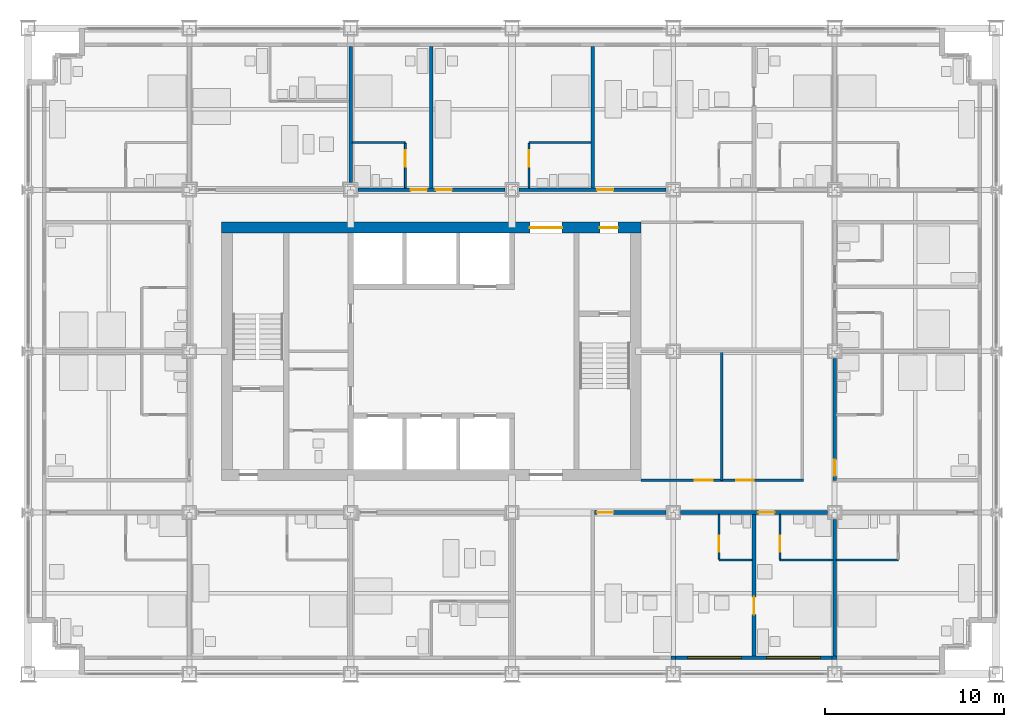
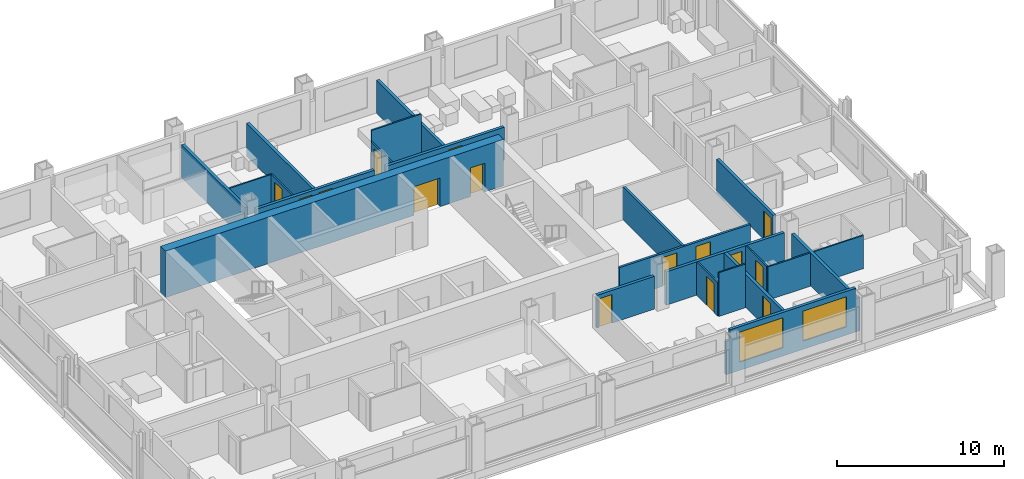
# One storey, part 12 of 18: 25 walls, 15 doors, 2 windows, 17 openings.
"""IFC4 building model written with IfcOpenShell, lengths in metres."""

from ifc_helpers import new_model, si_unit, direction, frame, frame_2d, origin, place, context, subcontext, project, spatial, rectangle, extrude, material, layer, layer_set, type_object, element, fill, save


model = new_model("IFC4")

# Units and contexts
model_context = context("Model", 3, precision=1e-05, world=origin(), true_north=direction((0.0, 1.0)))
body_context = subcontext(model_context, "Body", "Model", "MODEL_VIEW")
ifc_project = project(units=[si_unit("LENGTHUNIT", "METRE"), si_unit("AREAUNIT", "SQUARE_METRE"), si_unit("VOLUMEUNIT", "CUBIC_METRE"), si_unit("PLANEANGLEUNIT", "RADIAN"), si_unit("MASSUNIT", "GRAM", prefix="KILO")], contexts=[model_context])

# Site, building, storey
site_placement = place(None, origin())
site = spatial("IfcSite", under=ifc_project, at=site_placement, CompositionType="ELEMENT")
building_placement = place(site_placement, origin())
building = spatial("IfcBuilding", under=site, at=building_placement, Name="Loomwork Tower", CompositionType="ELEMENT")
storey_placement = place(building_placement, frame((0.0, 0.0, 72.199951171875)))
storey = spatial("IfcBuildingStorey", under=building, at=storey_placement, Name="L18", CompositionType="ELEMENT", Elevation=72.199951171875)

# Wall, openings, doors
ifc_material_1 = material(Name="Concrete 14000 psi (97 MPa)", Category="concrete")
ifc_layer_1 = layer(ifc_material_1, 0.60009765625)
ifc_layer_set_1 = layer_set([ifc_layer_1], Name="Core shear wall 600")
wall_type_1 = type_object("IfcWallType", Name="Core shear wall 600", PredefinedType="SHEAR", material=ifc_layer_set_1)
wall_1_placement = place(storey_placement, frame((10.800048828125, 24.89990234375, 0.0), z_axis=(0.0, 0.0, 1.0), x_axis=(1.0, 0.0, 0.0)))
wall_1 = element("IfcWall", 1, at=wall_1_placement, inside=storey, type_object=wall_type_1, Name="Core wall north L18", PredefinedType="SHEAR", context=body_context, shape_type="SweptSolid", body=[
    extrude(rectangle(XDim=23.39990234375, YDim=0.60009765625, at=frame_2d((11.699951171875, 0.0))), origin(), (0.0, 0.0, 1.0), 3.400146484375),
])
opening_1_placement = place(wall_1_placement, frame((17.199951171875, 0.0, 0.0)))
opening_1 = element("IfcOpeningElement", 2, at=opening_1_placement, cuts=wall_1, Name="Opening D6", PredefinedType="OPENING", context=body_context, shape_type="SweptSolid", body=[
    extrude(rectangle(XDim=1.800048828125, YDim=2.10009765625, at=frame_2d((0.89990234375, 1.050048828125))), frame((0.0, 0.31005859375, 0.0), z_axis=(0.0, -1.0, 0.0), x_axis=(1.0, 0.0, 0.0)), (0.0, 0.0, 1.0), 0.6201171875),
])
opening_2_placement = place(wall_1_placement, frame((21.10009765625, 0.0, 0.0)))
opening_2 = element("IfcOpeningElement", 3, at=opening_2_placement, cuts=wall_1, Name="Opening D4", PredefinedType="OPENING", context=body_context, shape_type="SweptSolid", body=[
    extrude(rectangle(XDim=1.0, YDim=2.10009765625, at=frame_2d((0.5, 1.050048828125))), frame((0.0, 0.31005859375, 0.0), z_axis=(0.0, -1.0, 0.0), x_axis=(1.0, 0.0, 0.0)), (0.0, 0.0, 1.0), 0.6201171875),
])
ifc_material_2 = material(Name="Hollow metal door and frame")
door_type_1 = type_object("IfcDoorType", Name="Lobby passage double door 1800", OperationType="DOUBLE_DOOR_SINGLE_SWING", PredefinedType="DOOR", material=ifc_material_2)
door_1_placement = place(opening_1_placement, frame((1.800048828125, 0.0, 0.0), z_axis=(0.0, 0.0, 1.0), x_axis=(-1.0, 0.0, 0.0)))
door_1 = element("IfcDoor", 4, at=door_1_placement, inside=storey, type_object=door_type_1, Name="Lobby passage door north", OperationType="DOUBLE_DOOR_SINGLE_SWING", OverallHeight=2.10009765625, OverallWidth=1.800048828125, PredefinedType="DOOR", context=body_context, shape_type="SweptSolid", body=[
    extrude(rectangle(XDim=1.800048828125, YDim=2.10009765625, at=frame_2d((0.89990234375, 1.050048828125))), frame((0.0, 0.02490234375, 0.0), z_axis=(0.0, -1.0, 0.0), x_axis=(1.0, 0.0, 0.0)), (0.0, 0.0, 1.0), 0.050048828125),
])
fill(opening_1, door_1)
ifc_material_3 = material(Name="Hollow metal door and frame")
door_type_2 = type_object("IfcDoorType", Name="Stair door 1000", OperationType="SINGLE_SWING_RIGHT", PredefinedType="DOOR", material=ifc_material_3)
door_2_placement = place(opening_2_placement, frame((1.0, 0.0, 0.0), z_axis=(0.0, 0.0, 1.0), x_axis=(-1.0, 0.0, 0.0)))
door_2 = element("IfcDoor", 5, at=door_2_placement, inside=storey, type_object=door_type_2, Name="Stair B vestibule door", OperationType="SINGLE_SWING_LEFT", OverallHeight=2.10009765625, OverallWidth=1.0, PredefinedType="DOOR", context=body_context, shape_type="SweptSolid", body=[
    extrude(rectangle(XDim=1.0, YDim=2.10009765625, at=frame_2d((0.5, 1.050048828125))), frame((0.0, 0.02490234375, 0.0), z_axis=(0.0, -1.0, 0.0), x_axis=(1.0, 0.0, 0.0)), (0.0, 0.0, 1.0), 0.050048828125),
])
fill(opening_2, door_2)

# Wall, opening, door
ifc_material_4 = material(Name="Gypsum board on steel studs, one-hour", Category="steel")
ifc_layer_2 = layer(ifc_material_4, 0.199951171875)
ifc_layer_set_2 = layer_set([ifc_layer_2], Name="Corridor wall 200")
wall_type_2 = type_object("IfcWallType", Name="Corridor wall 200", PredefinedType="PARTITIONING", material=ifc_layer_set_2)
wall_2_placement = place(storey_placement, frame((31.60009765625, 9.0, 0.0), z_axis=(0.0, 0.0, 1.0), x_axis=(1.0, 0.0, 0.0)))
wall_2 = element("IfcWall", 6, at=wall_2_placement, inside=storey, type_object=wall_type_2, Name="South corridor wall 4", PredefinedType="PARTITIONING", context=body_context, shape_type="SweptSolid", body=[
    extrude(rectangle(XDim=4.0, YDim=0.199951171875, at=frame_2d((2.0, 0.0))), origin(), (0.0, 0.0, 1.0), 2.405029296875),
])
opening_3_placement = place(wall_2_placement, frame((0.14990234375, 0.0, 0.0)))
opening_3 = element("IfcOpeningElement", 7, at=opening_3_placement, cuts=wall_2, Name="Opening D1", PredefinedType="OPENING", context=body_context, shape_type="SweptSolid", body=[
    extrude(rectangle(XDim=0.89990234375, YDim=2.10009765625, at=frame_2d((0.449951171875, 1.050048828125))), frame((0.0, 0.10986328125, 0.0), z_axis=(0.0, -1.0, 0.0), x_axis=(1.0, 0.0, 0.0)), (0.0, 0.0, 1.0), 0.219970703125),
])
ifc_material_5 = material(Name="Hollow metal door and frame")
door_type_3 = type_object("IfcDoorType", Name="Guest room entry door 900", OperationType="SINGLE_SWING_LEFT", PredefinedType="DOOR", material=ifc_material_5)
door_3_placement = place(opening_3_placement, frame((0.89990234375, 0.0, 0.0), z_axis=(0.0, 0.0, 1.0), x_axis=(-1.0, 0.0, 0.0)))
door_3 = element("IfcDoor", 8, at=door_3_placement, inside=storey, type_object=door_type_3, Name="Guest room entry door L18 4", OperationType="SINGLE_SWING_RIGHT", OverallHeight=2.10009765625, OverallWidth=0.89990234375, PredefinedType="DOOR", context=body_context, shape_type="SweptSolid", body=[
    extrude(rectangle(XDim=0.89990234375, YDim=2.10009765625, at=frame_2d((0.449951171875, 1.050048828125))), frame((0.0, 0.02490234375, 0.0), z_axis=(0.0, -1.0, 0.0), x_axis=(1.0, 0.0, 0.0)), (0.0, 0.0, 1.0), 0.050048828125),
])
fill(opening_3, door_3)

wall_3_placement = place(storey_placement, frame((36.39990234375, 9.0, 0.0), z_axis=(0.0, 0.0, 1.0), x_axis=(1.0, 0.0, 0.0)))
wall_3 = element("IfcWall", 9, at=wall_3_placement, inside=storey, type_object=wall_type_2, Name="South corridor wall 5", PredefinedType="PARTITIONING", context=body_context, shape_type="SweptSolid", body=[
    extrude(rectangle(XDim=8.2001953125, YDim=0.199951171875, at=frame_2d((4.10009765625, 0.0))), origin(), (0.0, 0.0, 1.0), 2.43798828125),
])
opening_4_placement = place(wall_3_placement, frame((4.35009765625, 0.0, 0.0)))
opening_4 = element("IfcOpeningElement", 10, at=opening_4_placement, cuts=wall_3, Name="Opening D1", PredefinedType="OPENING", context=body_context, shape_type="SweptSolid", body=[
    extrude(rectangle(XDim=0.89990234375, YDim=2.10009765625, at=frame_2d((0.449951171875, 1.050048828125))), frame((0.0, 0.10986328125, 0.0), z_axis=(0.0, -1.0, 0.0), x_axis=(1.0, 0.0, 0.0)), (0.0, 0.0, 1.0), 0.219970703125),
])
door_4_placement = place(opening_4_placement, frame((0.89990234375, 0.0, 0.0), z_axis=(0.0, 0.0, 1.0), x_axis=(-1.0, 0.0, 0.0)))
door_4 = element("IfcDoor", 11, at=door_4_placement, inside=storey, type_object=door_type_3, Name="Guest room entry door L18 5", OperationType="SINGLE_SWING_RIGHT", OverallHeight=2.10009765625, OverallWidth=0.89990234375, PredefinedType="DOOR", context=body_context, shape_type="SweptSolid", body=[
    extrude(rectangle(XDim=0.89990234375, YDim=2.10009765625, at=frame_2d((0.449951171875, 1.050048828125))), frame((0.0, 0.02490234375, 0.0), z_axis=(0.0, -1.0, 0.0), x_axis=(1.0, 0.0, 0.0)), (0.0, 0.0, 1.0), 0.050048828125),
])
fill(opening_4, door_4)

# Wall, openings, doors
wall_4_placement = place(storey_placement, frame((18.39990234375, 27.0, 0.0), z_axis=(0.0, 0.0, 1.0), x_axis=(1.0, 0.0, 0.0)))
wall_4 = element("IfcWall", 12, at=wall_4_placement, inside=storey, type_object=wall_type_2, Name="North corridor wall 3", PredefinedType="PARTITIONING", context=body_context, shape_type="SweptSolid", body=[
    extrude(rectangle(XDim=8.2001953125, YDim=0.199951171875, at=frame_2d((4.10009765625, 0.0))), origin(), (0.0, 0.0, 1.0), 2.405029296875),
])
opening_5_placement = place(wall_4_placement, frame((2.949951171875, 0.0, 0.0)))
opening_5 = element("IfcOpeningElement", 13, at=opening_5_placement, cuts=wall_4, Name="Opening D1", PredefinedType="OPENING", context=body_context, shape_type="SweptSolid", body=[
    extrude(rectangle(XDim=0.89990234375, YDim=2.10009765625, at=frame_2d((0.449951171875, 1.050048828125))), frame((0.0, 0.10986328125, 0.0), z_axis=(0.0, -1.0, 0.0), x_axis=(1.0, 0.0, 0.0)), (0.0, 0.0, 1.0), 0.219970703125),
])
opening_6_placement = place(wall_4_placement, frame((4.35009765625, 0.0, 0.0)))
opening_6 = element("IfcOpeningElement", 14, at=opening_6_placement, cuts=wall_4, Name="Opening D1", PredefinedType="OPENING", context=body_context, shape_type="SweptSolid", body=[
    extrude(rectangle(XDim=0.89990234375, YDim=2.10009765625, at=frame_2d((0.449951171875, 1.050048828125))), frame((0.0, 0.10986328125, 0.0), z_axis=(0.0, -1.0, 0.0), x_axis=(1.0, 0.0, 0.0)), (0.0, 0.0, 1.0), 0.219970703125),
])
door_5_placement = place(opening_5_placement, origin())
door_5 = element("IfcDoor", 15, at=door_5_placement, inside=storey, type_object=door_type_3, Name="Guest room entry door L18 9", OperationType="SINGLE_SWING_RIGHT", OverallHeight=2.10009765625, OverallWidth=0.89990234375, PredefinedType="DOOR", context=body_context, shape_type="SweptSolid", body=[
    extrude(rectangle(XDim=0.89990234375, YDim=2.10009765625, at=frame_2d((0.449951171875, 1.050048828125))), frame((0.0, 0.02490234375, 0.0), z_axis=(0.0, -1.0, 0.0), x_axis=(1.0, 0.0, 0.0)), (0.0, 0.0, 1.0), 0.050048828125),
])
fill(opening_5, door_5)
door_6_placement = place(opening_6_placement, origin())
door_6 = element("IfcDoor", 16, at=door_6_placement, inside=storey, type_object=door_type_3, Name="Guest room entry door L18 10", OperationType="SINGLE_SWING_LEFT", OverallHeight=2.10009765625, OverallWidth=0.89990234375, PredefinedType="DOOR", context=body_context, shape_type="SweptSolid", body=[
    extrude(rectangle(XDim=0.89990234375, YDim=2.10009765625, at=frame_2d((0.449951171875, 1.050048828125))), frame((0.0, 0.02490234375, 0.0), z_axis=(0.0, -1.0, 0.0), x_axis=(1.0, 0.0, 0.0)), (0.0, 0.0, 1.0), 0.050048828125),
])
fill(opening_6, door_6)

# Wall, opening, door
wall_5_placement = place(storey_placement, frame((27.39990234375, 27.0, 0.0), z_axis=(0.0, 0.0, 1.0), x_axis=(1.0, 0.0, 0.0)))
wall_5 = element("IfcWall", 17, at=wall_5_placement, inside=storey, type_object=wall_type_2, Name="North corridor wall 4", PredefinedType="PARTITIONING", context=body_context, shape_type="SweptSolid", body=[
    extrude(rectangle(XDim=8.2001953125, YDim=0.199951171875, at=frame_2d((4.10009765625, 0.0))), origin(), (0.0, 0.0, 1.0), 2.405029296875),
])
opening_7_placement = place(wall_5_placement, frame((4.35009765625, 0.0, 0.0)))
opening_7 = element("IfcOpeningElement", 18, at=opening_7_placement, cuts=wall_5, Name="Opening D1", PredefinedType="OPENING", context=body_context, shape_type="SweptSolid", body=[
    extrude(rectangle(XDim=0.89990234375, YDim=2.10009765625, at=frame_2d((0.449951171875, 1.050048828125))), frame((0.0, 0.10986328125, 0.0), z_axis=(0.0, -1.0, 0.0), x_axis=(1.0, 0.0, 0.0)), (0.0, 0.0, 1.0), 0.219970703125),
])
door_7_placement = place(opening_7_placement, origin())
door_7 = element("IfcDoor", 19, at=door_7_placement, inside=storey, type_object=door_type_3, Name="Guest room entry door L18 11", OperationType="SINGLE_SWING_LEFT", OverallHeight=2.10009765625, OverallWidth=0.89990234375, PredefinedType="DOOR", context=body_context, shape_type="SweptSolid", body=[
    extrude(rectangle(XDim=0.89990234375, YDim=2.10009765625, at=frame_2d((0.449951171875, 1.050048828125))), frame((0.0, 0.02490234375, 0.0), z_axis=(0.0, -1.0, 0.0), x_axis=(1.0, 0.0, 0.0)), (0.0, 0.0, 1.0), 0.050048828125),
])
fill(opening_7, door_7)

wall_6_placement = place(storey_placement, frame((45.0, 10.800048828125, 0.0), z_axis=(0.0, 0.0, 1.0), x_axis=(0.0, 1.0, 0.0)))
wall_6 = element("IfcWall", 20, at=wall_6_placement, inside=storey, type_object=wall_type_2, Name="East corridor wall 1", PredefinedType="PARTITIONING", context=body_context, shape_type="SweptSolid", body=[
    extrude(rectangle(XDim=6.800048828125, YDim=0.199951171875, at=frame_2d((3.39990234375, 0.0))), origin(), (0.0, 0.0, 1.0), 2.43798828125),
])
opening_8_placement = place(wall_6_placement, frame((0.25, 0.0, 0.0)))
opening_8 = element("IfcOpeningElement", 21, at=opening_8_placement, cuts=wall_6, Name="Opening D1", PredefinedType="OPENING", context=body_context, shape_type="SweptSolid", body=[
    extrude(rectangle(XDim=0.89990234375, YDim=2.10009765625, at=frame_2d((0.449951171875, 1.050048828125))), frame((0.0, 0.10986328125, 0.0), z_axis=(0.0, -1.0, 0.0), x_axis=(1.0, 0.0, 0.0)), (0.0, 0.0, 1.0), 0.219970703125),
])
door_8_placement = place(opening_8_placement, frame((0.89990234375, 0.0, 0.0), z_axis=(0.0, 0.0, 1.0), x_axis=(-1.0, 0.0, 0.0)))
door_8 = element("IfcDoor", 22, at=door_8_placement, inside=storey, type_object=door_type_3, Name="Guest room entry door L18 16", OperationType="SINGLE_SWING_RIGHT", OverallHeight=2.10009765625, OverallWidth=0.89990234375, PredefinedType="DOOR", context=body_context, shape_type="SweptSolid", body=[
    extrude(rectangle(XDim=0.89990234375, YDim=2.10009765625, at=frame_2d((0.449951171875, 1.050048828125))), frame((0.0, 0.02490234375, 0.0), z_axis=(0.0, -1.0, 0.0), x_axis=(1.0, 0.0, 0.0)), (0.0, 0.0, 1.0), 0.050048828125),
])
fill(opening_8, door_8)

# Wall
ifc_material_6 = material(Name="Cement board on steel studs", Category="steel")
ifc_layer_3 = layer(ifc_material_6, 0.10009765625)
ifc_layer_set_3 = layer_set([ifc_layer_3], Name="En-suite partition 100")
wall_type_3 = type_object("IfcWallType", Name="En-suite partition 100", PredefinedType="PARTITIONING", material=ifc_layer_set_3)
wall_7_placement = place(storey_placement, frame((38.550048828125, 6.35009765625, 0.0), z_axis=(0.0, 0.0, 1.0), x_axis=(1.0, 0.0, 0.0)))
element("IfcWall", 23, at=wall_7_placement, inside=storey, type_object=wall_type_3, Name="En-suite wall L18 room 4", PredefinedType="PARTITIONING", context=body_context, shape_type="SweptSolid", body=[
    extrude(rectangle(XDim=1.849853515625, YDim=0.10009765625, at=frame_2d((0.9248046875, 0.0))), origin(), (0.0, 0.0, 1.0), 3.199951171875),
])

# Wall, opening, door
wall_8_placement = place(storey_placement, frame((38.550048828125, 8.89990234375, 0.0), z_axis=(0.0, 0.0, 1.0), x_axis=(0.0, -1.0, 0.0)))
wall_8 = element("IfcWall", 24, at=wall_8_placement, inside=storey, type_object=wall_type_3, Name="En-suite side wall L18 room 4", PredefinedType="PARTITIONING", context=body_context, shape_type="SweptSolid", body=[
    extrude(rectangle(XDim=2.5, YDim=0.10009765625, at=frame_2d((1.25, 0.0))), origin(), (0.0, 0.0, 1.0), 2.43798828125),
])
opening_9_placement = place(wall_8_placement, frame((1.199951171875, 0.0, 0.0)))
opening_9 = element("IfcOpeningElement", 25, at=opening_9_placement, cuts=wall_8, Name="Opening D2", PredefinedType="OPENING", context=body_context, shape_type="SweptSolid", body=[
    extrude(rectangle(XDim=0.89990234375, YDim=2.10009765625, at=frame_2d((0.449951171875, 1.050048828125))), frame((0.0, 0.06005859375, 0.0), z_axis=(0.0, -1.0, 0.0), x_axis=(1.0, 0.0, 0.0)), (0.0, 0.0, 1.0), 0.1201171875),
])
ifc_material_7 = material(Name="Hollow metal door and frame")
door_type_4 = type_object("IfcDoorType", Name="En-suite door 900", OperationType="SINGLE_SWING_LEFT", PredefinedType="DOOR", material=ifc_material_7)
door_9_placement = place(opening_9_placement, origin())
door_9 = element("IfcDoor", 26, at=door_9_placement, inside=storey, type_object=door_type_4, Name="Suite powder room door room 4", OperationType="SINGLE_SWING_RIGHT", OverallHeight=2.10009765625, OverallWidth=0.89990234375, PredefinedType="DOOR", context=body_context, shape_type="SweptSolid", body=[
    extrude(rectangle(XDim=0.89990234375, YDim=2.10009765625, at=frame_2d((0.449951171875, 1.050048828125))), frame((0.0, 0.02490234375, 0.0), z_axis=(0.0, -1.0, 0.0), x_axis=(1.0, 0.0, 0.0)), (0.0, 0.0, 1.0), 0.050048828125),
])
fill(opening_9, door_9)

# Wall
wall_9_placement = place(storey_placement, frame((41.949951171875, 6.35009765625, 0.0), z_axis=(0.0, 0.0, 1.0), x_axis=(1.0, 0.0, 0.0)))
element("IfcWall", 27, at=wall_9_placement, inside=storey, type_object=wall_type_3, Name="En-suite wall L18 room 5", PredefinedType="PARTITIONING", context=body_context, shape_type="SweptSolid", body=[
    extrude(rectangle(XDim=2.949951171875, YDim=0.10009765625, at=frame_2d((1.47509765625, 0.0))), origin(), (0.0, 0.0, 1.0), 2.43798828125),
])

# Wall, opening, door
wall_10_placement = place(storey_placement, frame((41.949951171875, 8.89990234375, 0.0), z_axis=(0.0, 0.0, 1.0), x_axis=(0.0, -1.0, 0.0)))
wall_10 = element("IfcWall", 28, at=wall_10_placement, inside=storey, type_object=wall_type_3, Name="En-suite side wall L18 room 5", PredefinedType="PARTITIONING", context=body_context, shape_type="SweptSolid", body=[
    extrude(rectangle(XDim=2.5, YDim=0.10009765625, at=frame_2d((1.25, 0.0))), origin(), (0.0, 0.0, 1.0), 2.43798828125),
])
opening_10_placement = place(wall_10_placement, frame((1.199951171875, 0.0, 0.0)))
opening_10 = element("IfcOpeningElement", 29, at=opening_10_placement, cuts=wall_10, Name="Opening D2", PredefinedType="OPENING", context=body_context, shape_type="SweptSolid", body=[
    extrude(rectangle(XDim=0.89990234375, YDim=2.10009765625, at=frame_2d((0.449951171875, 1.050048828125))), frame((0.0, 0.06005859375, 0.0), z_axis=(0.0, -1.0, 0.0), x_axis=(1.0, 0.0, 0.0)), (0.0, 0.0, 1.0), 0.1201171875),
])
door_10_placement = place(opening_10_placement, origin())
door_10 = element("IfcDoor", 30, at=door_10_placement, inside=storey, type_object=door_type_4, Name="En-suite door room 5", OperationType="SINGLE_SWING_RIGHT", OverallHeight=2.10009765625, OverallWidth=0.89990234375, PredefinedType="DOOR", context=body_context, shape_type="SweptSolid", body=[
    extrude(rectangle(XDim=0.89990234375, YDim=2.10009765625, at=frame_2d((0.449951171875, 1.050048828125))), frame((0.0, 0.02490234375, 0.0), z_axis=(0.0, -1.0, 0.0), x_axis=(1.0, 0.0, 0.0)), (0.0, 0.0, 1.0), 0.050048828125),
])
fill(opening_10, door_10)

# Walls
wall_11_placement = place(storey_placement, frame((45.10009765625, 6.35009765625, 0.0), z_axis=(0.0, 0.0, 1.0), x_axis=(1.0, 0.0, 0.0)))
element("IfcWall", 31, at=wall_11_placement, inside=storey, type_object=wall_type_3, Name="En-suite wall L18 room 6", PredefinedType="PARTITIONING", context=body_context, shape_type="SweptSolid", body=[
    extrude(rectangle(XDim=3.449951171875, YDim=0.10009765625, at=frame_2d((1.72509765625, 0.0))), origin(), (0.0, 0.0, 1.0), 2.43798828125),
])
wall_12_placement = place(storey_placement, frame((18.10009765625, 29.64990234375, 0.0), z_axis=(0.0, 0.0, 1.0), x_axis=(1.0, 0.0, 0.0)))
element("IfcWall", 32, at=wall_12_placement, inside=storey, type_object=wall_type_3, Name="En-suite wall L18 room 9", PredefinedType="PARTITIONING", context=body_context, shape_type="SweptSolid", body=[
    extrude(rectangle(XDim=2.949951171875, YDim=0.10009765625, at=frame_2d((1.47509765625, 0.0))), origin(), (0.0, 0.0, 1.0), 2.404052734375),
])

# Wall, opening, door
wall_13_placement = place(storey_placement, frame((21.050048828125, 27.10009765625, 0.0), z_axis=(0.0, 0.0, 1.0), x_axis=(0.0, 1.0, 0.0)))
wall_13 = element("IfcWall", 33, at=wall_13_placement, inside=storey, type_object=wall_type_3, Name="En-suite side wall L18 room 9", PredefinedType="PARTITIONING", context=body_context, shape_type="SweptSolid", body=[
    extrude(rectangle(XDim=2.5, YDim=0.10009765625, at=frame_2d((1.25, 0.0))), origin(), (0.0, 0.0, 1.0), 2.404052734375),
])
opening_11_placement = place(wall_13_placement, frame((1.199951171875, 0.0, 0.0)))
opening_11 = element("IfcOpeningElement", 34, at=opening_11_placement, cuts=wall_13, Name="Opening D2", PredefinedType="OPENING", context=body_context, shape_type="SweptSolid", body=[
    extrude(rectangle(XDim=0.89990234375, YDim=2.10009765625, at=frame_2d((0.449951171875, 1.050048828125))), frame((0.0, 0.06005859375, 0.0), z_axis=(0.0, -1.0, 0.0), x_axis=(1.0, 0.0, 0.0)), (0.0, 0.0, 1.0), 0.1201171875),
])
door_11_placement = place(opening_11_placement, origin())
door_11 = element("IfcDoor", 35, at=door_11_placement, inside=storey, type_object=door_type_4, Name="En-suite door room 9", OperationType="SINGLE_SWING_RIGHT", OverallHeight=2.10009765625, OverallWidth=0.89990234375, PredefinedType="DOOR", context=body_context, shape_type="SweptSolid", body=[
    extrude(rectangle(XDim=0.89990234375, YDim=2.10009765625, at=frame_2d((0.449951171875, 1.050048828125))), frame((0.0, 0.02490234375, 0.0), z_axis=(0.0, -1.0, 0.0), x_axis=(1.0, 0.0, 0.0)), (0.0, 0.0, 1.0), 0.050048828125),
])
fill(opening_11, door_11)

# Wall
wall_14_placement = place(storey_placement, frame((27.949951171875, 29.64990234375, 0.0), z_axis=(0.0, 0.0, 1.0), x_axis=(1.0, 0.0, 0.0)))
element("IfcWall", 36, at=wall_14_placement, inside=storey, type_object=wall_type_3, Name="En-suite wall L18 room 10", PredefinedType="PARTITIONING", context=body_context, shape_type="SweptSolid", body=[
    extrude(rectangle(XDim=3.449951171875, YDim=0.10009765625, at=frame_2d((1.72509765625, 0.0))), origin(), (0.0, 0.0, 1.0), 3.199951171875),
])

# Wall, opening, door
wall_15_placement = place(storey_placement, frame((27.949951171875, 27.10009765625, 0.0), z_axis=(0.0, 0.0, 1.0), x_axis=(0.0, 1.0, 0.0)))
wall_15 = element("IfcWall", 37, at=wall_15_placement, inside=storey, type_object=wall_type_3, Name="En-suite side wall L18 room 10", PredefinedType="PARTITIONING", context=body_context, shape_type="SweptSolid", body=[
    extrude(rectangle(XDim=2.5, YDim=0.10009765625, at=frame_2d((1.25, 0.0))), origin(), (0.0, 0.0, 1.0), 2.404052734375),
])
opening_12_placement = place(wall_15_placement, frame((1.199951171875, 0.0, 0.0)))
opening_12 = element("IfcOpeningElement", 38, at=opening_12_placement, cuts=wall_15, Name="Opening D2", PredefinedType="OPENING", context=body_context, shape_type="SweptSolid", body=[
    extrude(rectangle(XDim=0.89990234375, YDim=2.10009765625, at=frame_2d((0.449951171875, 1.050048828125))), frame((0.0, 0.06005859375, 0.0), z_axis=(0.0, -1.0, 0.0), x_axis=(1.0, 0.0, 0.0)), (0.0, 0.0, 1.0), 0.1201171875),
])
door_12_placement = place(opening_12_placement, frame((0.89990234375, 0.0, 0.0), z_axis=(0.0, 0.0, 1.0), x_axis=(-1.0, 0.0, 0.0)))
door_12 = element("IfcDoor", 39, at=door_12_placement, inside=storey, type_object=door_type_4, Name="En-suite door room 10", OperationType="SINGLE_SWING_LEFT", OverallHeight=2.10009765625, OverallWidth=0.89990234375, PredefinedType="DOOR", context=body_context, shape_type="SweptSolid", body=[
    extrude(rectangle(XDim=0.89990234375, YDim=2.10009765625, at=frame_2d((0.449951171875, 1.050048828125))), frame((0.0, 0.02490234375, 0.0), z_axis=(0.0, -1.0, 0.0), x_axis=(1.0, 0.0, 0.0)), (0.0, 0.0, 1.0), 0.050048828125),
])
fill(opening_12, door_12)

ifc_material_8 = material(Name="Gypsum board on steel studs, acoustic", Category="steel")
ifc_layer_4 = layer(ifc_material_8, 0.199951171875)
ifc_layer_set_4 = layer_set([ifc_layer_4], Name="Guest room party wall 200")
wall_type_4 = type_object("IfcWallType", Name="Guest room party wall 200", PredefinedType="PARTITIONING", material=ifc_layer_set_4)
wall_16_placement = place(storey_placement, frame((40.5, 8.89990234375, 0.0), z_axis=(0.0, 0.0, 1.0), x_axis=(0.0, -1.0, 0.0)))
wall_16 = element("IfcWall", 40, at=wall_16_placement, inside=storey, type_object=wall_type_4, Name="Guest room party wall S 40.5", PredefinedType="PARTITIONING", context=body_context, shape_type="SweptSolid", body=[
    extrude(rectangle(XDim=7.89990234375, YDim=0.199951171875, at=frame_2d((3.949951171875, 0.0))), origin(), (0.0, 0.0, 1.0), 2.43798828125),
])
opening_13_placement = place(wall_16_placement, frame((4.60009765625, 0.0, 0.0)))
opening_13 = element("IfcOpeningElement", 41, at=opening_13_placement, cuts=wall_16, Name="Opening D7", PredefinedType="OPENING", context=body_context, shape_type="SweptSolid", body=[
    extrude(rectangle(XDim=1.0, YDim=2.10009765625, at=frame_2d((0.5, 1.050048828125))), frame((0.0, 0.10986328125, 0.0), z_axis=(0.0, -1.0, 0.0), x_axis=(1.0, 0.0, 0.0)), (0.0, 0.0, 1.0), 0.219970703125),
])
ifc_material_9 = material(Name="Hollow metal door and frame")
door_type_5 = type_object("IfcDoorType", Name="Room door 1000", OperationType="SINGLE_SWING_LEFT", PredefinedType="DOOR", material=ifc_material_9)
door_13_placement = place(opening_13_placement, origin())
door_13 = element("IfcDoor", 42, at=door_13_placement, inside=storey, type_object=door_type_5, Name="Suite connecting door L18 S 40.5", OperationType="SINGLE_SWING_LEFT", OverallHeight=2.10009765625, OverallWidth=1.0, PredefinedType="DOOR", context=body_context, shape_type="SweptSolid", body=[
    extrude(rectangle(XDim=1.0, YDim=2.10009765625, at=frame_2d((0.5, 1.050048828125))), frame((0.0, 0.02490234375, 0.0), z_axis=(0.0, -1.0, 0.0), x_axis=(1.0, 0.0, 0.0)), (0.0, 0.0, 1.0), 0.050048828125),
])
fill(opening_13, door_13)

# Walls
wall_17_placement = place(storey_placement, frame((45.0, 8.60009765625, 0.0), z_axis=(0.0, 0.0, 1.0), x_axis=(0.0, -1.0, 0.0)))
element("IfcWall", 43, at=wall_17_placement, inside=storey, type_object=wall_type_4, Name="Guest room party wall S 45", PredefinedType="PARTITIONING", context=body_context, shape_type="SweptSolid", body=[
    extrude(rectangle(XDim=7.60009765625, YDim=0.199951171875, at=frame_2d((3.800048828125, 0.0))), origin(), (0.0, 0.0, 1.0), 2.43798828125),
])
wall_18_placement = place(storey_placement, frame((18.0, 27.39990234375, 0.0), z_axis=(0.0, 0.0, 1.0), x_axis=(0.0, 1.0, 0.0)))
element("IfcWall", 44, at=wall_18_placement, inside=storey, type_object=wall_type_4, Name="Guest room party wall N 18", PredefinedType="PARTITIONING", context=body_context, shape_type="SweptSolid", body=[
    extrude(rectangle(XDim=7.60009765625, YDim=0.199951171875, at=frame_2d((3.800048828125, 0.0))), origin(), (0.0, 0.0, 1.0), 2.405029296875),
])
for number, where, z_axis, x_axis, name in (
    (45, (22.5, 27.10009765625, 0.0), (0.0, 0.0, 1.0), (0.0, 1.0, 0.0), "Guest room party wall N 22.5"),
    (46, (31.5, 27.10009765625, 0.0), (0.0, 0.0, 1.0), (0.0, 1.0, 0.0), "Guest room party wall N 31.5"),
):
    element("IfcWall", number, at=place(storey_placement, frame(where, z_axis=z_axis, x_axis=x_axis)), inside=storey, type_object=wall_type_4, Name=name, PredefinedType="PARTITIONING", context=body_context, shape_type="SweptSolid", body=[
        extrude(rectangle(XDim=7.89990234375, YDim=0.199951171875, at=frame_2d((3.949951171875, 0.0))), origin(), (0.0, 0.0, 1.0), 2.404052734375),
    ])
ifc_material_10 = material(Name="Insulated steel stud wall with gypsum lining", Category="steel")
ifc_layer_5 = layer(ifc_material_10, 0.199951171875)
ifc_layer_set_5 = layer_set([ifc_layer_5], Name="Inner skin wall 200")
wall_type_5 = type_object("IfcWallType", Name="Inner skin wall 200", PredefinedType="SOLIDWALL", material=ifc_layer_set_5)
wall_19_placement = place(storey_placement, frame((35.864501953125, 0.89990234375, 0.0), z_axis=(0.0, 0.0, 1.0), x_axis=(1.0, 0.0, 0.0)))
element("IfcWall", 47, at=wall_19_placement, inside=storey, type_object=wall_type_5, Name="Inner skin wall S bay 8", PredefinedType="SOLIDWALL", context=body_context, shape_type="SweptSolid", body=[
    extrude(rectangle(XDim=0.27099609375, YDim=0.199951171875, at=frame_2d((0.135498046875, 0.0))), origin(), (0.0, 0.0, 1.0), 2.43798828125),
])

# Wall, openings, windows
wall_20_placement = place(storey_placement, frame((36.135498046875, 0.89990234375, 0.0), z_axis=(0.0, 0.0, 1.0), x_axis=(1.0, 0.0, 0.0)))
wall_20 = element("IfcWall", 48, at=wall_20_placement, inside=storey, type_object=wall_type_5, Name="Inner skin wall S bay 9", PredefinedType="SOLIDWALL", context=body_context, shape_type="SweptSolid", body=[
    extrude(rectangle(XDim=8.72900390625, YDim=0.199951171875, at=frame_2d((4.364501953125, 0.0))), origin(), (0.0, 0.0, 1.0), 3.199951171875),
])
opening_14_placement = place(wall_20_placement, frame((0.66455078125, 0.0, 0.60009765625)))
opening_14 = element("IfcOpeningElement", 49, at=opening_14_placement, cuts=wall_20, Name="Opening CH1", PredefinedType="OPENING", context=body_context, shape_type="SweptSolid", body=[
    extrude(rectangle(XDim=3.0, YDim=2.199951171875, at=frame_2d((1.5, 1.10009765625))), frame((0.0, 0.10986328125, 0.0), z_axis=(0.0, -1.0, 0.0), x_axis=(1.0, 0.0, 0.0)), (0.0, 0.0, 1.0), 0.219970703125),
])
opening_15_placement = place(wall_20_placement, frame((5.064697265625, 0.0, 0.60009765625)))
opening_15 = element("IfcOpeningElement", 50, at=opening_15_placement, cuts=wall_20, Name="Opening CH1", PredefinedType="OPENING", context=body_context, shape_type="SweptSolid", body=[
    extrude(rectangle(XDim=3.0, YDim=2.199951171875, at=frame_2d((1.5, 1.10009765625))), frame((0.0, 0.10986328125, 0.0), z_axis=(0.0, -1.0, 0.0), x_axis=(1.0, 0.0, 0.0)), (0.0, 0.0, 1.0), 0.219970703125),
])
ifc_material_11 = material(Name="Aluminium frame with clear insulated glass", Category="aluminium")
window_type = type_object("IfcWindowType", Name="Chicago window 3000", PartitioningType="TRIPLE_PANEL_VERTICAL", PredefinedType="WINDOW", material=ifc_material_11)
window_1_placement = place(opening_14_placement, origin())
window_1 = element("IfcWindow", 51, at=window_1_placement, inside=storey, type_object=window_type, Name="Chicago window L18 bay 5", OverallHeight=2.199951171875, OverallWidth=3.0, PartitioningType="TRIPLE_PANEL_VERTICAL", PredefinedType="WINDOW", context=body_context, shape_type="SweptSolid", body=[
    extrude(rectangle(XDim=3.0, YDim=2.199951171875, at=frame_2d((1.5, 1.10009765625))), frame((0.0, 0.030029296875, 0.0), z_axis=(0.0, -1.0, 0.0), x_axis=(1.0, 0.0, 0.0)), (0.0, 0.0, 1.0), 0.06005859375),
])
fill(opening_14, window_1)
window_2_placement = place(opening_15_placement, origin())
window_2 = element("IfcWindow", 52, at=window_2_placement, inside=storey, type_object=window_type, Name="Chicago window L18 bay 5", OverallHeight=2.199951171875, OverallWidth=3.0, PartitioningType="TRIPLE_PANEL_VERTICAL", PredefinedType="WINDOW", context=body_context, shape_type="SweptSolid", body=[
    extrude(rectangle(XDim=3.0, YDim=2.199951171875, at=frame_2d((1.5, 1.10009765625))), frame((0.0, 0.030029296875, 0.0), z_axis=(0.0, -1.0, 0.0), x_axis=(1.0, 0.0, 0.0)), (0.0, 0.0, 1.0), 0.06005859375),
])
fill(opening_15, window_2)

# Wall
wall_21_placement = place(storey_placement, frame((44.864501953125, 0.89990234375, 0.0), z_axis=(0.0, 0.0, 1.0), x_axis=(1.0, 0.0, 0.0)))
element("IfcWall", 53, at=wall_21_placement, inside=storey, type_object=wall_type_5, Name="Inner skin wall S bay 10", PredefinedType="SOLIDWALL", context=body_context, shape_type="SweptSolid", body=[
    extrude(rectangle(XDim=0.27099609375, YDim=0.199951171875, at=frame_2d((0.135498046875, 0.0))), origin(), (0.0, 0.0, 1.0), 2.43798828125),
])

# Wall, openings, doors
ifc_material_12 = material(Name="Gypsum board on steel studs, one-hour", Category="steel")
ifc_layer_6 = layer(ifc_material_12, 0.14990234375)
ifc_layer_set_6 = layer_set([ifc_layer_6], Name="Service partition 150")
wall_type_6 = type_object("IfcWallType", Name="Service partition 150", PredefinedType="PARTITIONING", material=ifc_layer_set_6)
wall_22_placement = place(storey_placement, frame((34.199951171875, 10.800048828125, 0.0), z_axis=(0.0, 0.0, 1.0), x_axis=(1.0, 0.0, 0.0)))
wall_22 = element("IfcWall", 54, at=wall_22_placement, inside=storey, type_object=wall_type_6, Name="Service block wall S", PredefinedType="PARTITIONING", context=body_context, shape_type="SweptSolid", body=[
    extrude(rectangle(XDim=9.074951171875, YDim=0.14990234375, at=frame_2d((4.53759765625, 0.0))), origin(), (0.0, 0.0, 1.0), 2.404052734375),
])
opening_16_placement = place(wall_22_placement, frame((5.300048828125, 0.0, 0.0)))
opening_16 = element("IfcOpeningElement", 55, at=opening_16_placement, cuts=wall_22, Name="Opening D5", PredefinedType="OPENING", context=body_context, shape_type="SweptSolid", body=[
    extrude(rectangle(XDim=1.0, YDim=2.10009765625, at=frame_2d((0.5, 1.050048828125))), frame((0.0, 0.0849609375, 0.0), z_axis=(0.0, -1.0, 0.0), x_axis=(1.0, 0.0, 0.0)), (0.0, 0.0, 1.0), 0.169921875),
])
opening_17_placement = place(wall_22_placement, frame((3.0, 0.0, 0.0)))
opening_17 = element("IfcOpeningElement", 56, at=opening_17_placement, cuts=wall_22, Name="Opening D5", PredefinedType="OPENING", context=body_context, shape_type="SweptSolid", body=[
    extrude(rectangle(XDim=1.0, YDim=2.10009765625, at=frame_2d((0.5, 1.050048828125))), frame((0.0, 0.0849609375, 0.0), z_axis=(0.0, -1.0, 0.0), x_axis=(1.0, 0.0, 0.0)), (0.0, 0.0, 1.0), 0.169921875),
])
ifc_material_13 = material(Name="Hollow metal door and frame")
door_type_6 = type_object("IfcDoorType", Name="Service door 1000", OperationType="SINGLE_SWING_LEFT", PredefinedType="DOOR", material=ifc_material_13)
door_14_placement = place(opening_16_placement, origin())
door_14 = element("IfcDoor", 57, at=door_14_placement, inside=storey, type_object=door_type_6, Name="Linen store door", OperationType="SINGLE_SWING_LEFT", OverallHeight=2.10009765625, OverallWidth=1.0, PredefinedType="DOOR", context=body_context, shape_type="SweptSolid", body=[
    extrude(rectangle(XDim=1.0, YDim=2.10009765625, at=frame_2d((0.5, 1.050048828125))), frame((0.0, 0.02490234375, 0.0), z_axis=(0.0, -1.0, 0.0), x_axis=(1.0, 0.0, 0.0)), (0.0, 0.0, 1.0), 0.050048828125),
])
fill(opening_16, door_14)
door_15_placement = place(opening_17_placement, origin())
door_15 = element("IfcDoor", 58, at=door_15_placement, inside=storey, type_object=door_type_6, Name="Housekeeping store door", OperationType="SINGLE_SWING_RIGHT", OverallHeight=2.10009765625, OverallWidth=1.0, PredefinedType="DOOR", context=body_context, shape_type="SweptSolid", body=[
    extrude(rectangle(XDim=1.0, YDim=2.10009765625, at=frame_2d((0.5, 1.050048828125))), frame((0.0, 0.02490234375, 0.0), z_axis=(0.0, -1.0, 0.0), x_axis=(1.0, 0.0, 0.0)), (0.0, 0.0, 1.0), 0.050048828125),
])
fill(opening_17, door_15)

# Wall
wall_23_placement = place(storey_placement, frame((38.699951171875, 10.800048828125, 0.0), z_axis=(0.0, 0.0, 1.0), x_axis=(0.0, 1.0, 0.0)))
element("IfcWall", 59, at=wall_23_placement, inside=storey, type_object=wall_type_6, Name="Housekeeping partition L18", PredefinedType="PARTITIONING", context=body_context, shape_type="SweptSolid", body=[
    extrude(rectangle(XDim=7.199951171875, YDim=0.14990234375, at=frame_2d((3.60009765625, 0.0))), origin(), (0.0, 0.0, 1.0), 2.404052734375),
])

save(model, "model.ifc")
